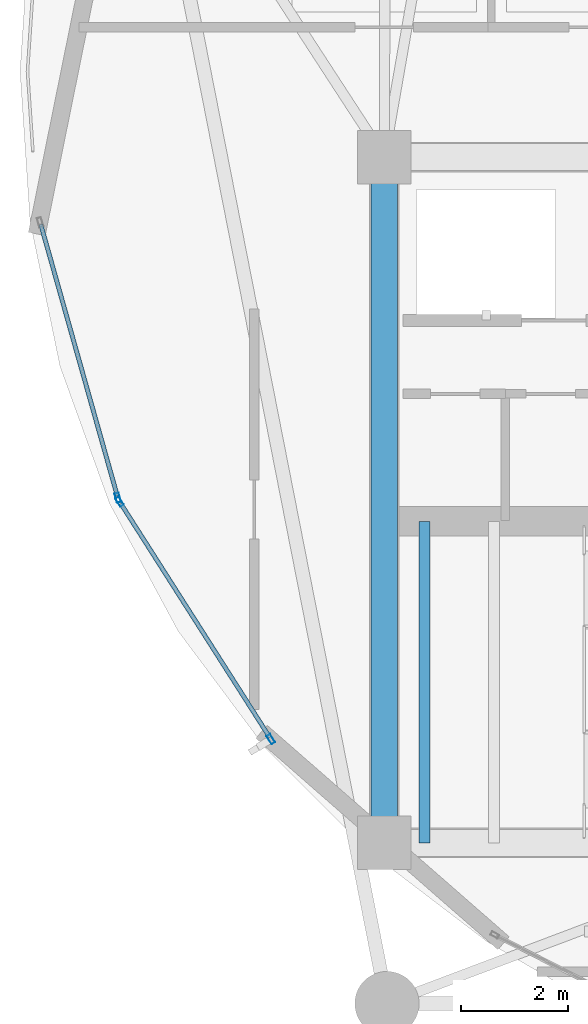
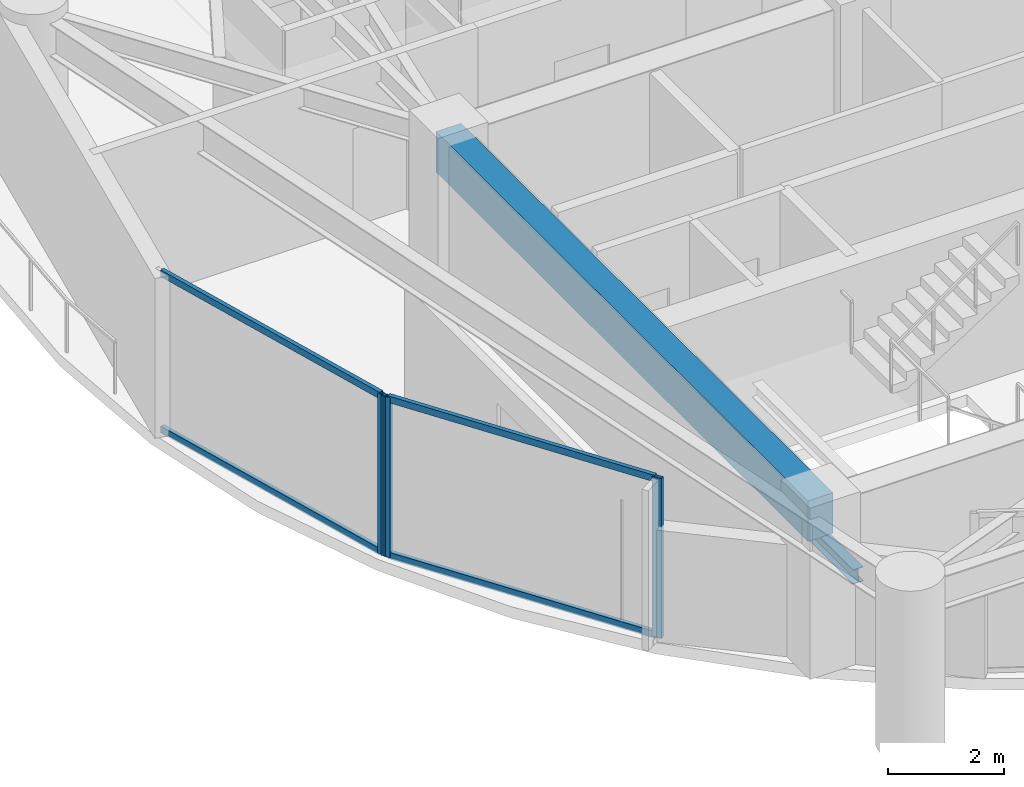
# One storey, part 3 of 28: 7 members, 2 beams, 2 elements without a shape of their own.
"""IFC4 building model written with IfcOpenShell, lengths in metres."""

from ifc_helpers import new_model, si_unit, direction, frame, origin, origin_2d, place, context, subcontext, project, spatial, rectangle, hollow_rectangle, i_section, extrude, material, layer, layer_set, material_profile, profile_set, type_object, element, aggregate, save


model = new_model("IFC4")

# Units and contexts
model_context = context("Model", 3, precision=1e-05, world=origin(), true_north=direction((0.0, 1.0)))
body_context = subcontext(model_context, "Body", "Model", "MODEL_VIEW")
ifc_project = project(units=[si_unit("LENGTHUNIT", "METRE"), si_unit("AREAUNIT", "SQUARE_METRE"), si_unit("VOLUMEUNIT", "CUBIC_METRE"), si_unit("PLANEANGLEUNIT", "RADIAN"), si_unit("MASSUNIT", "GRAM", prefix="KILO")], contexts=[model_context])

# Site, building, storey
site_placement = place(None, origin())
site = spatial("IfcSite", under=ifc_project, at=site_placement, CompositionType="ELEMENT")
building_placement = place(site_placement, origin())
building = spatial("IfcBuilding", under=site, at=building_placement, Name="Kazevale Care Tower and Concert Hall", CompositionType="ELEMENT")
storey_placement = place(building_placement, frame((0.0, 0.0, 106.199951171875)))
storey = spatial("IfcBuildingStorey", under=building, at=storey_placement, Name="L27", CompositionType="ELEMENT", Elevation=106.199951171875)

# Curtain wall, members
ifc_material_1 = material(Name="Aluminium 6063-T6 and Low-E Glass", Category="aluminium")
ifc_layer = layer(ifc_material_1, 0.179931640625)
ifc_layer_set = layer_set([ifc_layer], Name="Aluminium 6063-T6 and Low-E Glass")
curtain_wall_type = type_object("IfcCurtainWallType", Name="Waist & Upper Residential Curtain Wall CW-4", PredefinedType="NOTDEFINED", material=ifc_layer_set)
curtain_wall_1_placement = place(storey_placement, origin())
curtain_wall_1 = element("IfcCurtainWall", 1, at=curtain_wall_1_placement, inside=storey, type_object=curtain_wall_type, Name="cw:L27:f11", PredefinedType="NOTDEFINED")
ifc_material_2 = material(Name="Aluminium 6063-T6", Category="aluminium")
ifc_material_profile_1 = material_profile(ifc_material_2, hollow_rectangle(XDim=0.080078125, YDim=0.179931640625, WallThickness=0.0048828125, at=origin_2d()), Name="ALU80x180x5")
ifc_profile_set_1 = profile_set([ifc_material_profile_1], Name="Aluminium 6063-T6")
member_type_1 = type_object("IfcMemberType", Name="CW-4 Mullion ALU80x180x5", PredefinedType="MULLION", material=ifc_profile_set_1)
member_1_placement = place(storey_placement, frame((19.882568359375, 25.53564453125, 0.0), z_axis=(0.0, 0.0, 1.0), x_axis=(-0.843429930967, -0.537239193981, 0.0)))
member_1 = element("IfcMember", 2, at=member_1_placement, type_object=member_type_1, Name="CW-4 mullion 1", PredefinedType="MULLION", context=body_context, shape_type="SweptSolid", body=[
    extrude(hollow_rectangle(XDim=0.080078125, YDim=0.179931640625, WallThickness=0.0048828125, at=origin_2d()), origin(), (0.0, 0.0, 1.0), 3.360107421875),
])
member_2_placement = place(storey_placement, frame((17.05859375, 29.96923828125, 0.0), z_axis=(0.0, 0.0, 1.0), x_axis=(-0.843429930967, -0.537239193981, 0.0)))
member_2 = element("IfcMember", 3, at=member_2_placement, type_object=member_type_1, Name="CW-4 mullion 2", PredefinedType="MULLION", context=body_context, shape_type="SweptSolid", body=[
    extrude(hollow_rectangle(XDim=0.080078125, YDim=0.179931640625, WallThickness=0.0048828125, at=origin_2d()), origin(), (0.0, 0.0, 1.0), 3.360107421875),
])

# Curtain wall, member
curtain_wall_2_placement = place(storey_placement, origin())
curtain_wall_2 = element("IfcCurtainWall", 4, at=curtain_wall_2_placement, inside=storey, type_object=curtain_wall_type, Name="cw:L27:f12", PredefinedType="NOTDEFINED")
member_3_placement = place(storey_placement, frame((17.026123046875, 30.04150390625, 0.0), z_axis=(0.0, 0.0, 1.0), x_axis=(-0.962499078876, -0.271284948278, 0.0)))
member_3 = element("IfcMember", 5, at=member_3_placement, type_object=member_type_1, Name="CW-4 mullion 1", PredefinedType="MULLION", context=body_context, shape_type="SweptSolid", body=[
    extrude(hollow_rectangle(XDim=0.080078125, YDim=0.179931640625, WallThickness=0.0048828125, at=origin_2d()), origin(), (0.0, 0.0, 1.0), 3.360107421875),
])

# Member
ifc_material_profile_2 = material_profile(ifc_material_2, hollow_rectangle(XDim=0.080078125, YDim=0.139892578125, WallThickness=0.00390625, at=origin_2d()), Name="ALU80x140x4")
ifc_profile_set_2 = profile_set([ifc_material_profile_2], Name="Aluminium 6063-T6")
member_type_2 = type_object("IfcMemberType", Name="CW-4 Transom ALU80x140x4", PredefinedType="USERDEFINED", material=ifc_profile_set_2)
member_4_placement = place(storey_placement, frame((19.861083984375, 25.569580078125, 0.0400390625), z_axis=(-0.537241653837, 0.843428364109, 0.0), x_axis=(-0.843428364109, -0.537241653837, 0.0)))
member_4 = element("IfcMember", 6, at=member_4_placement, type_object=member_type_2, Name="CW-4 transom 1.1", ObjectType="TRANSOM", PredefinedType="USERDEFINED", context=body_context, shape_type="SweptSolid", body=[
    extrude(hollow_rectangle(XDim=0.080078125, YDim=0.139892578125, WallThickness=0.00390625, at=origin_2d()), origin(), (0.0, 0.0, 1.0), 5.176513671875),
])

member_5_placement = place(storey_placement, frame((19.861083984375, 25.569580078125, 3.320068359375), z_axis=(-0.537241653837, 0.843428364109, 0.0), x_axis=(-0.843428364109, -0.537241653837, 0.0)))
member_5 = element("IfcMember", 7, at=member_5_placement, type_object=member_type_2, Name="CW-4 transom 1.2", ObjectType="TRANSOM", PredefinedType="USERDEFINED", context=body_context, shape_type="SweptSolid", body=[
    extrude(hollow_rectangle(XDim=0.080078125, YDim=0.139892578125, WallThickness=0.00390625, at=origin_2d()), origin(), (0.0, 0.0, 1.0), 5.176513671875),
])

aggregate(curtain_wall_1, [member_1, member_2, member_4, member_5])

member_6_placement = place(storey_placement, frame((17.015380859375, 30.080078125, 0.0400390625), z_axis=(-0.271312503244, 0.962491311952, 0.0), x_axis=(-0.962491311952, -0.271312503244, 0.0)))
member_6 = element("IfcMember", 8, at=member_6_placement, type_object=member_type_2, Name="CW-4 transom 1.1", ObjectType="TRANSOM", PredefinedType="USERDEFINED", context=body_context, shape_type="SweptSolid", body=[
    extrude(hollow_rectangle(XDim=0.080078125, YDim=0.139892578125, WallThickness=0.00390625, at=origin_2d()), origin(), (0.0, 0.0, 1.0), 5.26220703125),
])

member_7_placement = place(storey_placement, frame((17.015380859375, 30.080078125, 3.320068359375), z_axis=(-0.271312503244, 0.962491311952, 0.0), x_axis=(-0.962491311952, -0.271312503244, 0.0)))
member_7 = element("IfcMember", 9, at=member_7_placement, type_object=member_type_2, Name="CW-4 transom 1.2", ObjectType="TRANSOM", PredefinedType="USERDEFINED", context=body_context, shape_type="SweptSolid", body=[
    extrude(hollow_rectangle(XDim=0.080078125, YDim=0.139892578125, WallThickness=0.00390625, at=origin_2d()), origin(), (0.0, 0.0, 1.0), 5.26220703125),
])

aggregate(curtain_wall_2, [member_3, member_6, member_7])

# Beams
ifc_material_3 = material(Name="Concrete C60", Category="concrete")
ifc_material_profile_3 = material_profile(ifc_material_3, rectangle(XDim=0.5, YDim=0.85009765625, at=origin_2d()), Name="RC-B500x850")
ifc_profile_set_3 = profile_set([ifc_material_profile_3], Name="Concrete C60")
beam_type_1 = type_object("IfcBeamType", Name="Core Coupling Beam RC500x850", PredefinedType="LINTEL", material=ifc_profile_set_3)
beam_1_placement = place(storey_placement, frame((22.0, 36.39990234375, 2.93505859375), z_axis=(0.0, -1.0, 0.0), x_axis=(1.0, 0.0, 0.0)))
element("IfcBeam", 10, at=beam_1_placement, inside=storey, type_object=beam_type_1, Name="beam:L27:coretie:8", PredefinedType="LINTEL", context=body_context, shape_type="SweptSolid", body=[
    extrude(rectangle(XDim=0.5, YDim=0.85009765625, at=origin_2d()), origin(), (0.0, 0.0, 1.0), 12.7998046875),
])
ifc_material_4 = material(Name="Steel ASTM A572 Gr 50", Category="steel")
ifc_material_profile_4 = material_profile(ifc_material_4, i_section(OverallWidth=0.202880859375, OverallDepth=0.302978515625, WebThickness=0.007568359375, FlangeThickness=0.01318359375, at=origin_2d()), Name="W310x60")
ifc_profile_set_4 = profile_set([ifc_material_profile_4], Name="Steel ASTM A572 Gr 50")
beam_type_2 = type_object("IfcBeamType", Name="Stair & Balcony Trimmer W310x60", PredefinedType="BEAM", material=ifc_profile_set_4)
beam_2_placement = place(storey_placement, frame((22.75, 23.60009765625, 1.448486328125), z_axis=(0.0, 1.0, 0.0), x_axis=(-1.0, 0.0, 0.0)))
element("IfcBeam", 11, at=beam_2_placement, inside=storey, type_object=beam_type_2, Name="beam:L27:sttrim:ST1", PredefinedType="BEAM", context=body_context, shape_type="SweptSolid", body=[
    extrude(i_section(OverallWidth=0.202880859375, OverallDepth=0.302978515625, WebThickness=0.007568359375, FlangeThickness=0.01318359375, at=origin_2d()), origin(), (0.0, 0.0, 1.0), 6.0),
])

save(model, "model.ifc")
